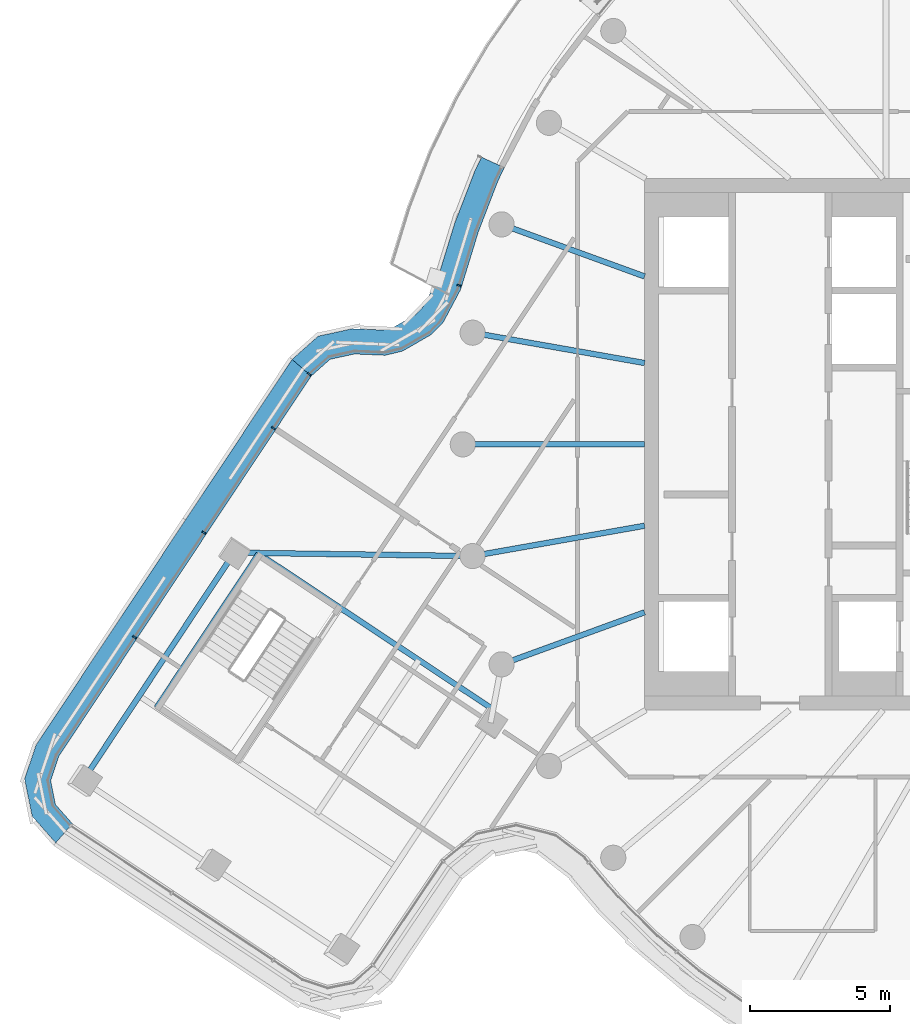
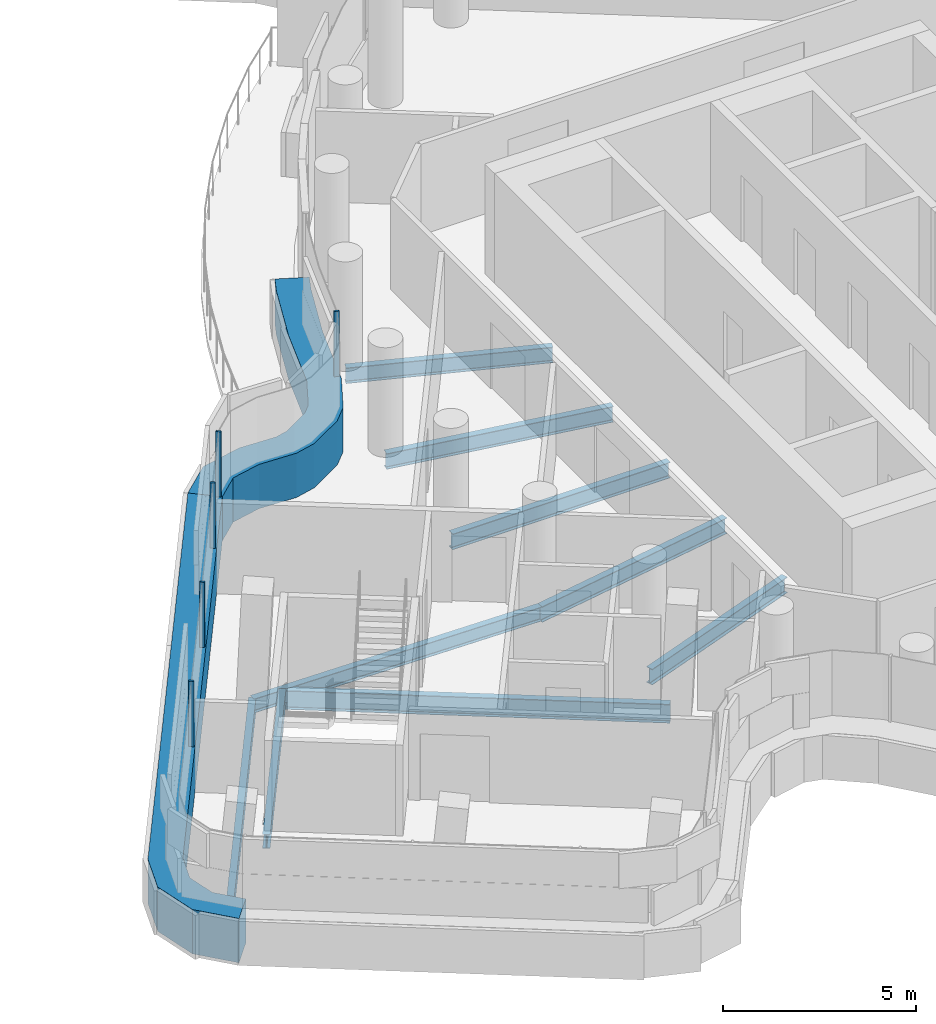
# One storey, part 4 of 27: 9 beams, 7 members, 2 elements without a shape of their own.
"""IFC4 building model written with IfcOpenShell, lengths in metres."""

from ifc_helpers import new_model, si_unit, direction, frame, origin, origin_2d, place, context, subcontext, project, spatial, polyline, rectangle, i_section, outline, extrude, material, layer, layer_set, material_profile, profile_set, type_object, element, aggregate, save


model = new_model("IFC4")

# Units and contexts
model_context = context("Model", 3, precision=1e-05, world=origin(), true_north=direction((0.0, 1.0)))
body_context = subcontext(model_context, "Body", "Model", "MODEL_VIEW")
ifc_project = project(units=[si_unit("LENGTHUNIT", "METRE"), si_unit("AREAUNIT", "SQUARE_METRE"), si_unit("VOLUMEUNIT", "CUBIC_METRE"), si_unit("PLANEANGLEUNIT", "RADIAN"), si_unit("MASSUNIT", "GRAM", prefix="KILO")], contexts=[model_context])

# Site, building, storey
site_placement = place(None, origin())
site = spatial("IfcSite", under=ifc_project, at=site_placement, CompositionType="ELEMENT")
building_placement = place(site_placement, origin())
building = spatial("IfcBuilding", under=site, at=building_placement, Name="Tamarind Cross Interchange Tower", CompositionType="ELEMENT")
storey_placement = place(building_placement, frame((0.0, 0.0, 237.89990234375)))
storey = spatial("IfcBuildingStorey", under=building, at=storey_placement, Name="L60", CompositionType="ELEMENT", Elevation=237.89990234375)

# Beams
ifc_material_1 = material(Name="Steel Q355B", Category="steel")
ifc_material_profile_1 = material_profile(ifc_material_1, i_section(OverallWidth=0.198974609375, OverallDepth=0.446044921875, WebThickness=0.008056640625, FlangeThickness=0.011962890625, FilletRadius=0.012939453125, at=origin_2d()), Name="HN 446x199x8x12")
ifc_profile_set_1 = profile_set([ifc_material_profile_1], Name="Steel Q355B")
beam_type_1 = type_object("IfcBeamType", Name="Composite beam HN 446x199x8x12 Q355B", PredefinedType="BEAM", material=ifc_profile_set_1)
beam_1_placement = place(storey_placement, frame((-36.58935546875, -12.031005859375, -0.36279296875), z_axis=(0.553111295782, 0.833107372719, 0.0), x_axis=(-0.833107372719, 0.553111295782, 0.0)))
element("IfcBeam", 1, at=beam_1_placement, inside=storey, type_object=beam_type_1, Name="Beam W-edgeem4", PredefinedType="BEAM", context=body_context, shape_type="SweptSolid", body=[
    extrude(i_section(OverallWidth=0.198974609375, OverallDepth=0.446044921875, WebThickness=0.008056640625, FlangeThickness=0.011962890625, FilletRadius=0.012939453125, at=origin_2d()), origin(), (0.0, 0.0, 1.0), 9.792724609375),
])
beam_2_placement = place(storey_placement, frame((-31.1728515625, -3.87255859375, -0.36279296875), z_axis=(0.999898657478, -0.014236389056, 0.0), x_axis=(0.014236389056, 0.999898657478, 0.0)))
element("IfcBeam", 2, at=beam_2_placement, inside=storey, type_object=beam_type_1, Name="Beam W-linkem", PredefinedType="BEAM", context=body_context, shape_type="SweptSolid", body=[
    extrude(i_section(OverallWidth=0.198974609375, OverallDepth=0.446044921875, WebThickness=0.008056640625, FlangeThickness=0.011962890625, FilletRadius=0.012939453125, at=origin_2d()), origin(), (0.0, 0.0, 1.0), 8.523193359375),
])
beam_3_placement = place(storey_placement, frame((-30.299072265625, -3.91259765625, -0.36279296875), z_axis=(-0.55311998435, -0.833101604195, 0.0), x_axis=(0.833101604195, -0.55311998435, 0.0)))
element("IfcBeam", 3, at=beam_3_placement, inside=storey, type_object=beam_type_1, Name="Beam W-tr0", PredefinedType="BEAM", context=body_context, shape_type="SweptSolid", body=[
    extrude(i_section(OverallWidth=0.198974609375, OverallDepth=0.446044921875, WebThickness=0.008056640625, FlangeThickness=0.011962890625, FilletRadius=0.012939453125, at=origin_2d()), origin(), (0.0, 0.0, 1.0), 6.60009765625),
])
ifc_material_profile_2 = material_profile(ifc_material_1, i_section(OverallWidth=0.198974609375, OverallDepth=0.49609375, WebThickness=0.009033203125, FlangeThickness=0.013916015625, FilletRadius=0.012939453125, at=origin_2d()), Name="HN 496x199x9x14")
ifc_profile_set_2 = profile_set([ifc_material_profile_2], Name="Steel Q355B")
beam_type_2 = type_object("IfcBeamType", Name="Composite beam HN 496x199x9x14 Q355B", PredefinedType="BEAM", material=ifc_profile_set_2)
beam_4_placement = place(storey_placement, frame((-21.613037109375, 7.866455078125, -0.387939453125), z_axis=(0.939701685589, -0.341995236956, 0.0), x_axis=(0.341995236956, 0.939701685589, 0.0)))
element("IfcBeam", 4, at=beam_4_placement, inside=storey, type_object=beam_type_2, Name="Beam HH16", PredefinedType="BEAM", context=body_context, shape_type="SweptSolid", body=[
    extrude(i_section(OverallWidth=0.198974609375, OverallDepth=0.49609375, WebThickness=0.009033203125, FlangeThickness=0.013916015625, FilletRadius=0.012939453125, at=origin_2d()), origin(), (0.0, 0.0, 1.0), 5.441162109375),
])
beam_5_placement = place(storey_placement, frame((-22.650634765625, 3.993896484375, -0.387939453125), z_axis=(0.984809127561, -0.173640382036, 0.0), x_axis=(0.173640382036, 0.984809127561, 0.0)))
element("IfcBeam", 5, at=beam_5_placement, inside=storey, type_object=beam_type_2, Name="Beam HH17", PredefinedType="BEAM", context=body_context, shape_type="SweptSolid", body=[
    extrude(i_section(OverallWidth=0.198974609375, OverallDepth=0.49609375, WebThickness=0.009033203125, FlangeThickness=0.013916015625, FilletRadius=0.012939453125, at=origin_2d()), origin(), (0.0, 0.0, 1.0), 6.24560546875),
])
beam_6_placement = place(storey_placement, frame((-23.0, 0.0, -0.387939453125), z_axis=(1.0, 0.0, 0.0), x_axis=(0.0, 1.0, 0.0)))
element("IfcBeam", 6, at=beam_6_placement, inside=storey, type_object=beam_type_2, Name="Beam HH18", PredefinedType="BEAM", context=body_context, shape_type="SweptSolid", body=[
    extrude(i_section(OverallWidth=0.198974609375, OverallDepth=0.49609375, WebThickness=0.009033203125, FlangeThickness=0.013916015625, FilletRadius=0.012939453125, at=origin_2d()), origin(), (0.0, 0.0, 1.0), 6.5),
])
beam_7_placement = place(storey_placement, frame((-22.650634765625, -3.993896484375, -0.387939453125), z_axis=(0.984809127561, 0.173640382036, 0.0), x_axis=(-0.173640382036, 0.984809127561, 0.0)))
element("IfcBeam", 7, at=beam_7_placement, inside=storey, type_object=beam_type_2, Name="Beam HH19", PredefinedType="BEAM", context=body_context, shape_type="SweptSolid", body=[
    extrude(i_section(OverallWidth=0.198974609375, OverallDepth=0.49609375, WebThickness=0.009033203125, FlangeThickness=0.013916015625, FilletRadius=0.012939453125, at=origin_2d()), origin(), (0.0, 0.0, 1.0), 6.24560546875),
])
beam_8_placement = place(storey_placement, frame((-21.613037109375, -7.866455078125, -0.387939453125), z_axis=(0.939701685589, 0.341995236956, 0.0), x_axis=(-0.341995236956, 0.939701685589, 0.0)))
element("IfcBeam", 8, at=beam_8_placement, inside=storey, type_object=beam_type_2, Name="Beam HH20", PredefinedType="BEAM", context=body_context, shape_type="SweptSolid", body=[
    extrude(i_section(OverallWidth=0.198974609375, OverallDepth=0.49609375, WebThickness=0.009033203125, FlangeThickness=0.013916015625, FilletRadius=0.012939453125, at=origin_2d()), origin(), (0.0, 0.0, 1.0), 5.441162109375),
])
ifc_material_profile_3 = material_profile(ifc_material_1, i_section(OverallWidth=0.198974609375, OverallDepth=0.595947265625, WebThickness=0.010009765625, FlangeThickness=0.014892578125, FilletRadius=0.012939453125, at=origin_2d()), Name="HN 596x199x10x15")
ifc_profile_set_3 = profile_set([ifc_material_profile_3], Name="Steel Q355B")
beam_type_3 = type_object("IfcBeamType", Name="Composite beam HN 596x199x10x15 Q355B", PredefinedType="BEAM", material=ifc_profile_set_3)
beam_9_placement = place(storey_placement, frame((-30.341552734375, -3.884521484375, -0.43798828125), z_axis=(0.833107485592, -0.55311112577, 0.0), x_axis=(0.55311112577, 0.833107485592, 0.0)))
element("IfcBeam", 9, at=beam_9_placement, inside=storey, type_object=beam_type_3, Name="Beam W-x298", PredefinedType="BEAM", context=body_context, shape_type="SweptSolid", body=[
    extrude(i_section(OverallWidth=0.198974609375, OverallDepth=0.595947265625, WebThickness=0.010009765625, FlangeThickness=0.014892578125, FilletRadius=0.012939453125, at=origin_2d()), origin(), (0.0, 0.0, 1.0), 10.111083984375),
])

# Curtain wall, member
ifc_material_2 = material(Name="Aluminium 6063-T6", Category="aluminium")
ifc_layer = layer(ifc_material_2, 0.139892578125)
ifc_layer_set = layer_set([ifc_layer], Name="Aluminium 6063-T6")
curtain_wall_type = type_object("IfcCurtainWallType", Name="Hotel curtain wall, 4.5 m bays", PredefinedType="NOTDEFINED", material=ifc_layer_set)
curtain_wall_1_placement = place(storey_placement, origin())
curtain_wall_1 = element("IfcCurtainWall", 10, at=curtain_wall_1_placement, inside=storey, type_object=curtain_wall_type, Name="CWS-L60-06", PredefinedType="NOTDEFINED")
ifc_material_3 = material(Name="Aluminium and insulated spandrel panel", Category="aluminium")
member_type_1 = type_object("IfcMemberType", Name="Floor-edge blade transom", PredefinedType="USERDEFINED", material=ifc_material_3)
member_1_placement = place(storey_placement, origin())
member_1 = element("IfcMember", 11, at=member_1_placement, type_object=member_type_1, Name="CWT-L60-06-1", ObjectType="TRANSOM", PredefinedType="USERDEFINED", context=body_context, shape_type="SweptSolid", body=[
    extrude(outline(polyline([(-21.5126953125, 9.896240234375), (-21.74072265625, 9.425048828125), (-22.4453125, 7.595703125), (-23.078125, 5.53369140625), (-23.69384765625, 4.3740234375), (-24.131591796875, 3.922119140625), (-25.15966796875, 3.33349609375), (-25.771240234375, 3.184814453125), (-26.870849609375, 3.23193359375), (-27.7490234375, 3.041015625), (-28.420166015625, 2.443359375), (-29.10546875, 3.037841796875), (-28.171142578125, 3.870361328125), (-26.9482421875, 4.13623046875), (-25.85986328125, 4.08935546875), (-25.496337890625, 4.177978515625), (-24.689453125, 4.6396484375), (-24.428955078125, 4.90869140625), (-23.913330078125, 5.8798828125), (-23.296630859375, 7.889892578125), (-22.567138671875, 9.783203125), (-22.33056640625, 10.2724609375), (-21.5126953125, 9.896240234375)])), origin(), (0.0, 0.0, 1.0), 1.400146484375),
])

curtain_wall_2_placement = place(storey_placement, origin())
curtain_wall_2 = element("IfcCurtainWall", 12, at=curtain_wall_2_placement, inside=storey, type_object=curtain_wall_type, Name="CWS-L60-07", PredefinedType="NOTDEFINED")
member_2_placement = place(storey_placement, origin())
member_2 = element("IfcMember", 13, at=member_2_placement, type_object=member_type_1, Name="CWT-L60-07", ObjectType="TRANSOM", PredefinedType="USERDEFINED", context=body_context, shape_type="SweptSolid", body=[
    extrude(outline(polyline([(-28.420166015625, 2.443359375), (-37.4482421875, -11.1552734375), (-37.739990234375, -12.02294921875), (-37.56689453125, -12.880126953125), (-36.961181640625, -13.566650390625), (-37.557861328125, -14.250732421875), (-38.4013671875, -13.294677734375), (-38.669921875, -11.96484375), (-38.263671875, -10.756103515625), (-29.10546875, 3.037841796875), (-28.420166015625, 2.443359375)])), origin(), (0.0, 0.0, 1.0), 1.400146484375),
])

# Member
ifc_material_profile_4 = material_profile(ifc_material_2, rectangle(XDim=0.06005859375, YDim=0.139892578125, at=origin_2d()), Name="Mullion CW2")
ifc_profile_set_4 = profile_set([ifc_material_profile_4], Name="Aluminium 6063-T6")
member_type_2 = type_object("IfcMemberType", Name="Mullion CW2", PredefinedType="MULLION", material=ifc_profile_set_4)
member_3_placement = place(storey_placement, frame((-23.13623046875, 5.685546875, 1.400146484375), z_axis=(0.0, 0.0, 1.0), x_axis=(-0.293333117786, -0.956010293883, 0.0)))
member_3 = element("IfcMember", 14, at=member_3_placement, type_object=member_type_2, Name="CWM-L60-06-04", PredefinedType="MULLION", context=body_context, shape_type="SweptSolid", body=[
    extrude(rectangle(XDim=0.06005859375, YDim=0.139892578125, at=origin_2d()), origin(), (0.0, 0.0, 1.0), 2.06005859375),
])

aggregate(curtain_wall_1, [member_3, member_1])

member_4_placement = place(storey_placement, frame((-28.496337890625, 2.50927734375, 1.400146484375), z_axis=(0.0, 0.0, 1.0), x_axis=(-0.655273751806, -0.755391494653, 0.0)))
member_4 = element("IfcMember", 15, at=member_4_placement, type_object=member_type_2, Name="CWM-L60-07-00", PredefinedType="MULLION", context=body_context, shape_type="SweptSolid", body=[
    extrude(rectangle(XDim=0.06005859375, YDim=0.139892578125, at=origin_2d()), origin(), (0.0, 0.0, 1.0), 2.06005859375),
])

member_5_placement = place(storey_placement, frame((-29.777099609375, 0.580078125, 1.400146484375), z_axis=(0.0, 0.0, 1.0), x_axis=(-0.55311240359, -0.833106637229, 0.0)))
member_5 = element("IfcMember", 16, at=member_5_placement, type_object=member_type_2, Name="CWM-L60-07-01", PredefinedType="MULLION", context=body_context, shape_type="SweptSolid", body=[
    extrude(rectangle(XDim=0.06005859375, YDim=0.139892578125, at=origin_2d()), origin(), (0.0, 0.0, 1.0), 2.06005859375),
])

member_6_placement = place(storey_placement, frame((-32.25830078125, -3.156982421875, 1.400146484375), z_axis=(0.0, 0.0, 1.0), x_axis=(-0.55311240359, -0.833106637229, 0.0)))
member_6 = element("IfcMember", 17, at=member_6_placement, type_object=member_type_2, Name="CWM-L60-07-02", PredefinedType="MULLION", context=body_context, shape_type="SweptSolid", body=[
    extrude(rectangle(XDim=0.06005859375, YDim=0.139892578125, at=origin_2d()), origin(), (0.0, 0.0, 1.0), 2.06005859375),
])

member_7_placement = place(storey_placement, frame((-34.7392578125, -6.89404296875, 1.400146484375), z_axis=(0.0, 0.0, 1.0), x_axis=(-0.55311240359, -0.833106637229, 0.0)))
member_7 = element("IfcMember", 18, at=member_7_placement, type_object=member_type_2, Name="CWM-L60-07-03", PredefinedType="MULLION", context=body_context, shape_type="SweptSolid", body=[
    extrude(rectangle(XDim=0.06005859375, YDim=0.139892578125, at=origin_2d()), origin(), (0.0, 0.0, 1.0), 2.06005859375),
])

aggregate(curtain_wall_2, [member_4, member_5, member_6, member_7, member_2])

save(model, "model.ifc")
